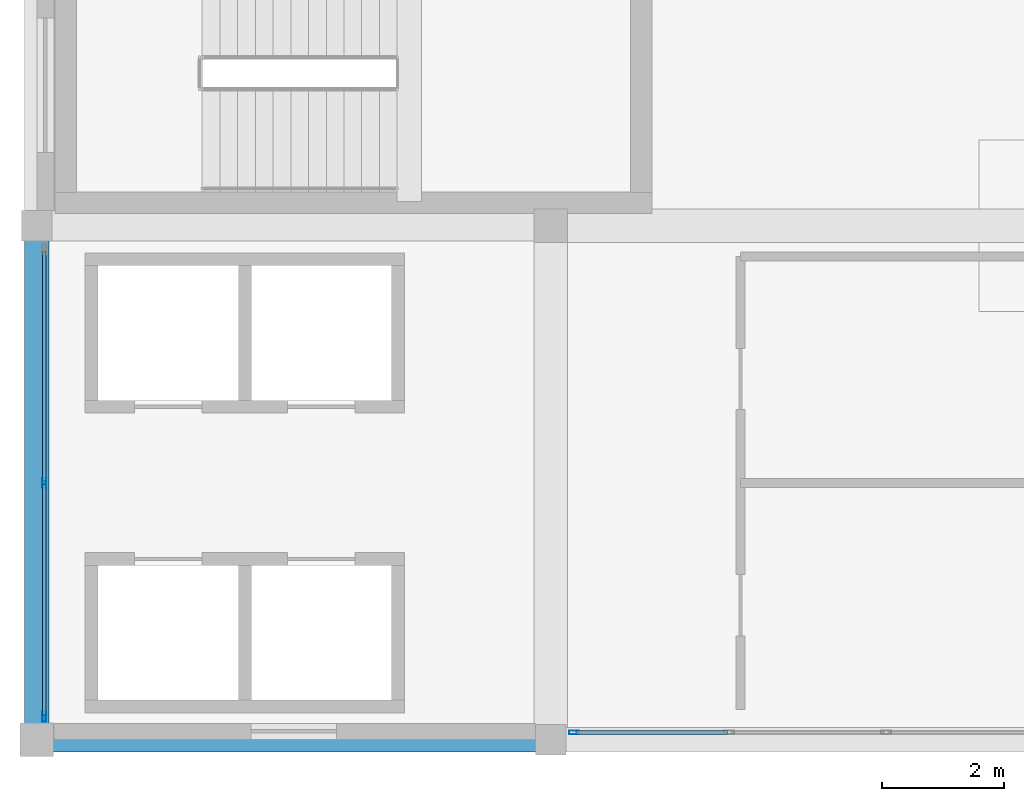
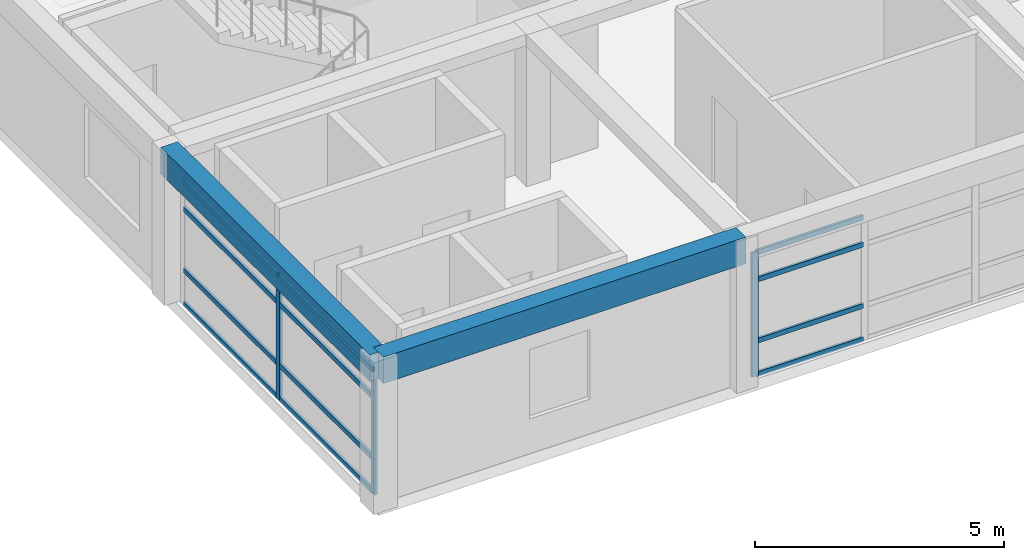
# One storey, part 2 of 20: 15 members, 2 beams, 2 elements without a shape of their own.
"""IFC4 building model written with IfcOpenShell, lengths in metres."""

from ifc_helpers import new_model, si_unit, direction, frame, origin, origin_2d, place, context, subcontext, project, spatial, rectangle, hollow_rectangle, extrude, material, material_profile, profile_set, type_object, element, aggregate, save


model = new_model("IFC4")

# Units and contexts
model_context = context("Model", 3, precision=1e-05, world=origin(), true_north=direction((0.0, 1.0)))
body_context = subcontext(model_context, "Body", "Model", "MODEL_VIEW")
ifc_project = project(units=[si_unit("LENGTHUNIT", "METRE"), si_unit("AREAUNIT", "SQUARE_METRE"), si_unit("VOLUMEUNIT", "CUBIC_METRE"), si_unit("PLANEANGLEUNIT", "RADIAN"), si_unit("MASSUNIT", "GRAM", prefix="KILO")], contexts=[model_context])

# Site, building, storey
site_placement = place(None, origin())
site = spatial("IfcSite", under=ifc_project, at=site_placement, CompositionType="ELEMENT")
building_placement = place(site_placement, origin())
building = spatial("IfcBuilding", under=site, at=building_placement, Name="Almacenes y Pasaje Nevantli", CompositionType="ELEMENT")
storey_placement = place(building_placement, frame((0.0, 0.0, 62.699951171875)))
storey = spatial("IfcBuildingStorey", under=building, at=storey_placement, Name="L15", CompositionType="ELEMENT", Elevation=62.699951171875)

# Beams
ifc_material_1 = material(Name="Concrete C35/45", Category="concrete")
ifc_material_profile_1 = material_profile(ifc_material_1, rectangle(XDim=0.39990234375, YDim=0.64990234375, at=origin_2d()), Name="RC-BM-400x650")
ifc_profile_set_1 = profile_set([ifc_material_profile_1], Name="Concrete C35/45")
beam_type = type_object("IfcBeamType", Name="BM-RC-400x650", PredefinedType="SPANDREL", material=ifc_profile_set_1)
beam_1_placement = place(storey_placement, frame((117.60009765625, 67.199951171875, 3.39501953125), z_axis=(1.0, 0.0, 0.0), x_axis=(0.0, 1.0, 0.0)))
element("IfcBeam", 1, at=beam_1_placement, inside=storey, type_object=beam_type, Name="L15 East-West Reinforced Concrete Beam #4014", PredefinedType="SPANDREL", context=body_context, shape_type="SweptSolid", body=[
    extrude(rectangle(XDim=0.39990234375, YDim=0.64990234375, at=origin_2d()), origin(), (0.0, 0.0, 1.0), 8.39990234375),
])
beam_2_placement = place(storey_placement, frame((117.60009765625, 67.199951171875, 3.39501953125), z_axis=(0.0, 1.0, 0.0), x_axis=(-1.0, 0.0, 0.0)))
element("IfcBeam", 2, at=beam_2_placement, inside=storey, type_object=beam_type, Name="L15 North-South Reinforced Concrete Beam #4030", PredefinedType="SPANDREL", context=body_context, shape_type="SweptSolid", body=[
    extrude(rectangle(XDim=0.39990234375, YDim=0.64990234375, at=origin_2d()), origin(), (0.0, 0.0, 1.0), 8.400146484375),
])

# Curtain wall, member
ifc_material_2 = material(Name="Thermally Broken Aluminium and Low-E Glass", Category="aluminium")
curtain_wall_type = type_object("IfcCurtainWallType", Name="CW-UNIT-TOWER", PredefinedType="USERDEFINED", material=ifc_material_2)
curtain_wall_1_placement = place(storey_placement, origin())
curtain_wall_1 = element("IfcCurtainWall", 3, at=curtain_wall_1_placement, inside=storey, type_object=curtain_wall_type, Name="L15 Tower South Unitized Curtain Wall Bay 16", ObjectType="UNITIZED CURTAIN WALL", PredefinedType="USERDEFINED")
ifc_material_3 = material(Name="Thermally Broken Anodized Aluminium", Category="aluminium")
ifc_material_profile_2 = material_profile(ifc_material_3, hollow_rectangle(XDim=0.06005859375, YDim=0.159912109375, WallThickness=0.00390625, at=origin_2d()), Name="ALU-MUL-60x160")
ifc_profile_set_2 = profile_set([ifc_material_profile_2], Name="Thermally Broken Anodized Aluminium")
member_type_1 = type_object("IfcMemberType", Name="CW-MUL-180", PredefinedType="MULLION", material=ifc_profile_set_2)
member_1_placement = place(storey_placement, frame((126.3798828125, 67.320068359375, 0.0), z_axis=(0.0, 0.0, 1.0), x_axis=(0.0, 1.0, 0.0)))
member_1 = element("IfcMember", 4, at=member_1_placement, type_object=member_type_1, Name="CW-L15-185 mullion 1", PredefinedType="MULLION", context=body_context, shape_type="SweptSolid", body=[
    extrude(hollow_rectangle(XDim=0.06005859375, YDim=0.159912109375, WallThickness=0.00390625, at=origin_2d()), origin(), (0.0, 0.0, 1.0), 3.0400390625),
])

# Curtain wall, members
curtain_wall_2_placement = place(storey_placement, origin())
curtain_wall_2 = element("IfcCurtainWall", 5, at=curtain_wall_2_placement, inside=storey, type_object=curtain_wall_type, Name="L15 Tower West Curtain Wall Bay 9", ObjectType="UNITIZED CURTAIN WALL", PredefinedType="USERDEFINED")
member_2_placement = place(storey_placement, frame((117.719970703125, 67.580078125, 0.0), z_axis=(0.0, 0.0, 1.0), x_axis=(-1.0, 0.0, 0.0)))
member_2 = element("IfcMember", 6, at=member_2_placement, type_object=member_type_1, Name="CW-L15-188 mullion 1", PredefinedType="MULLION", context=body_context, shape_type="SweptSolid", body=[
    extrude(hollow_rectangle(XDim=0.06005859375, YDim=0.159912109375, WallThickness=0.00390625, at=origin_2d()), origin(), (0.0, 0.0, 1.0), 3.0400390625),
])
member_3_placement = place(storey_placement, frame((117.719970703125, 71.39990234375, 0.0), z_axis=(0.0, 0.0, 1.0), x_axis=(-1.0, 0.0, 0.0)))
member_3 = element("IfcMember", 7, at=member_3_placement, type_object=member_type_1, Name="CW-L15-188 mullion 2", PredefinedType="MULLION", context=body_context, shape_type="SweptSolid", body=[
    extrude(hollow_rectangle(XDim=0.06005859375, YDim=0.159912109375, WallThickness=0.00390625, at=origin_2d()), origin(), (0.0, 0.0, 1.0), 3.0400390625),
])

# Member
ifc_material_4 = material(Name="Thermally Broken Anodized Aluminium", Category="aluminium")
ifc_material_profile_3 = material_profile(ifc_material_4, hollow_rectangle(XDim=0.06005859375, YDim=0.1201171875, WallThickness=0.00341796875, at=origin_2d()), Name="ALU-TRN-60x120")
ifc_profile_set_3 = profile_set([ifc_material_profile_3], Name="Thermally Broken Anodized Aluminium")
member_type_2 = type_object("IfcMemberType", Name="CW-TRN-130", PredefinedType="USERDEFINED", material=ifc_profile_set_3)
member_4_placement = place(storey_placement, frame((126.409912109375, 67.320068359375, 0.030029296875), z_axis=(1.0, 0.0, 0.0), x_axis=(0.0, 1.0, 0.0)))
member_4 = element("IfcMember", 8, at=member_4_placement, type_object=member_type_2, Name="CW-L15-185 transom 1.1", ObjectType="TRANSOM", PredefinedType="USERDEFINED", context=body_context, shape_type="SweptSolid", body=[
    extrude(hollow_rectangle(XDim=0.06005859375, YDim=0.1201171875, WallThickness=0.00341796875, at=origin_2d()), origin(), (0.0, 0.0, 1.0), 2.476806640625),
])

member_5_placement = place(storey_placement, frame((126.409912109375, 67.320068359375, 0.85009765625), z_axis=(1.0, 0.0, 0.0), x_axis=(0.0, 1.0, 0.0)))
member_5 = element("IfcMember", 9, at=member_5_placement, type_object=member_type_2, Name="CW-L15-185 transom 1.2", ObjectType="TRANSOM", PredefinedType="USERDEFINED", context=body_context, shape_type="SweptSolid", body=[
    extrude(hollow_rectangle(XDim=0.06005859375, YDim=0.1201171875, WallThickness=0.00341796875, at=origin_2d()), origin(), (0.0, 0.0, 1.0), 2.476806640625),
])

member_6_placement = place(storey_placement, frame((126.409912109375, 67.320068359375, 2.35009765625), z_axis=(1.0, 0.0, 0.0), x_axis=(0.0, 1.0, 0.0)))
member_6 = element("IfcMember", 10, at=member_6_placement, type_object=member_type_2, Name="CW-L15-185 transom 1.3", ObjectType="TRANSOM", PredefinedType="USERDEFINED", context=body_context, shape_type="SweptSolid", body=[
    extrude(hollow_rectangle(XDim=0.06005859375, YDim=0.1201171875, WallThickness=0.00341796875, at=origin_2d()), origin(), (0.0, 0.0, 1.0), 2.476806640625),
])

member_7_placement = place(storey_placement, frame((126.409912109375, 67.320068359375, 3.010009765625), z_axis=(1.0, 0.0, 0.0), x_axis=(0.0, 1.0, 0.0)))
member_7 = element("IfcMember", 11, at=member_7_placement, type_object=member_type_2, Name="CW-L15-185 transom 1.4", ObjectType="TRANSOM", PredefinedType="USERDEFINED", context=body_context, shape_type="SweptSolid", body=[
    extrude(hollow_rectangle(XDim=0.06005859375, YDim=0.1201171875, WallThickness=0.00341796875, at=origin_2d()), origin(), (0.0, 0.0, 1.0), 2.476806640625),
])

aggregate(curtain_wall_1, [member_1, member_4, member_5, member_6, member_7])

member_8_placement = place(storey_placement, frame((117.719970703125, 67.610107421875, 0.030029296875), z_axis=(0.0, 1.0, 0.0), x_axis=(-1.0, 0.0, 0.0)))
member_8 = element("IfcMember", 12, at=member_8_placement, type_object=member_type_2, Name="CW-L15-188 transom 1.1", ObjectType="TRANSOM", PredefinedType="USERDEFINED", context=body_context, shape_type="SweptSolid", body=[
    extrude(hollow_rectangle(XDim=0.06005859375, YDim=0.1201171875, WallThickness=0.00341796875, at=origin_2d()), origin(), (0.0, 0.0, 1.0), 3.760009765625),
])

member_9_placement = place(storey_placement, frame((117.719970703125, 67.610107421875, 0.85009765625), z_axis=(0.0, 1.0, 0.0), x_axis=(-1.0, 0.0, 0.0)))
member_9 = element("IfcMember", 13, at=member_9_placement, type_object=member_type_2, Name="CW-L15-188 transom 1.2", ObjectType="TRANSOM", PredefinedType="USERDEFINED", context=body_context, shape_type="SweptSolid", body=[
    extrude(hollow_rectangle(XDim=0.06005859375, YDim=0.1201171875, WallThickness=0.00341796875, at=origin_2d()), origin(), (0.0, 0.0, 1.0), 3.760009765625),
])

member_10_placement = place(storey_placement, frame((117.719970703125, 67.610107421875, 2.35009765625), z_axis=(0.0, 1.0, 0.0), x_axis=(-1.0, 0.0, 0.0)))
member_10 = element("IfcMember", 14, at=member_10_placement, type_object=member_type_2, Name="CW-L15-188 transom 1.3", ObjectType="TRANSOM", PredefinedType="USERDEFINED", context=body_context, shape_type="SweptSolid", body=[
    extrude(hollow_rectangle(XDim=0.06005859375, YDim=0.1201171875, WallThickness=0.00341796875, at=origin_2d()), origin(), (0.0, 0.0, 1.0), 3.760009765625),
])

member_11_placement = place(storey_placement, frame((117.719970703125, 67.610107421875, 3.010009765625), z_axis=(0.0, 1.0, 0.0), x_axis=(-1.0, 0.0, 0.0)))
member_11 = element("IfcMember", 15, at=member_11_placement, type_object=member_type_2, Name="CW-L15-188 transom 1.4", ObjectType="TRANSOM", PredefinedType="USERDEFINED", context=body_context, shape_type="SweptSolid", body=[
    extrude(hollow_rectangle(XDim=0.06005859375, YDim=0.1201171875, WallThickness=0.00341796875, at=origin_2d()), origin(), (0.0, 0.0, 1.0), 3.760009765625),
])

member_12_placement = place(storey_placement, frame((117.719970703125, 71.429931640625, 0.030029296875), z_axis=(0.0, 1.0, 0.0), x_axis=(-1.0, 0.0, 0.0)))
member_12 = element("IfcMember", 16, at=member_12_placement, type_object=member_type_2, Name="CW-L15-188 transom 2.1", ObjectType="TRANSOM", PredefinedType="USERDEFINED", context=body_context, shape_type="SweptSolid", body=[
    extrude(hollow_rectangle(XDim=0.06005859375, YDim=0.1201171875, WallThickness=0.00341796875, at=origin_2d()), origin(), (0.0, 0.0, 1.0), 3.760009765625),
])

member_13_placement = place(storey_placement, frame((117.719970703125, 71.429931640625, 0.85009765625), z_axis=(0.0, 1.0, 0.0), x_axis=(-1.0, 0.0, 0.0)))
member_13 = element("IfcMember", 17, at=member_13_placement, type_object=member_type_2, Name="CW-L15-188 transom 2.2", ObjectType="TRANSOM", PredefinedType="USERDEFINED", context=body_context, shape_type="SweptSolid", body=[
    extrude(hollow_rectangle(XDim=0.06005859375, YDim=0.1201171875, WallThickness=0.00341796875, at=origin_2d()), origin(), (0.0, 0.0, 1.0), 3.760009765625),
])

member_14_placement = place(storey_placement, frame((117.719970703125, 71.429931640625, 2.35009765625), z_axis=(0.0, 1.0, 0.0), x_axis=(-1.0, 0.0, 0.0)))
member_14 = element("IfcMember", 18, at=member_14_placement, type_object=member_type_2, Name="CW-L15-188 transom 2.3", ObjectType="TRANSOM", PredefinedType="USERDEFINED", context=body_context, shape_type="SweptSolid", body=[
    extrude(hollow_rectangle(XDim=0.06005859375, YDim=0.1201171875, WallThickness=0.00341796875, at=origin_2d()), origin(), (0.0, 0.0, 1.0), 3.760009765625),
])

member_15_placement = place(storey_placement, frame((117.719970703125, 71.429931640625, 3.010009765625), z_axis=(0.0, 1.0, 0.0), x_axis=(-1.0, 0.0, 0.0)))
member_15 = element("IfcMember", 19, at=member_15_placement, type_object=member_type_2, Name="CW-L15-188 transom 2.4", ObjectType="TRANSOM", PredefinedType="USERDEFINED", context=body_context, shape_type="SweptSolid", body=[
    extrude(hollow_rectangle(XDim=0.06005859375, YDim=0.1201171875, WallThickness=0.00341796875, at=origin_2d()), origin(), (0.0, 0.0, 1.0), 3.760009765625),
])

aggregate(curtain_wall_2, [member_2, member_3, member_8, member_9, member_10, member_11, member_12, member_13, member_14, member_15])

save(model, "model.ifc")
